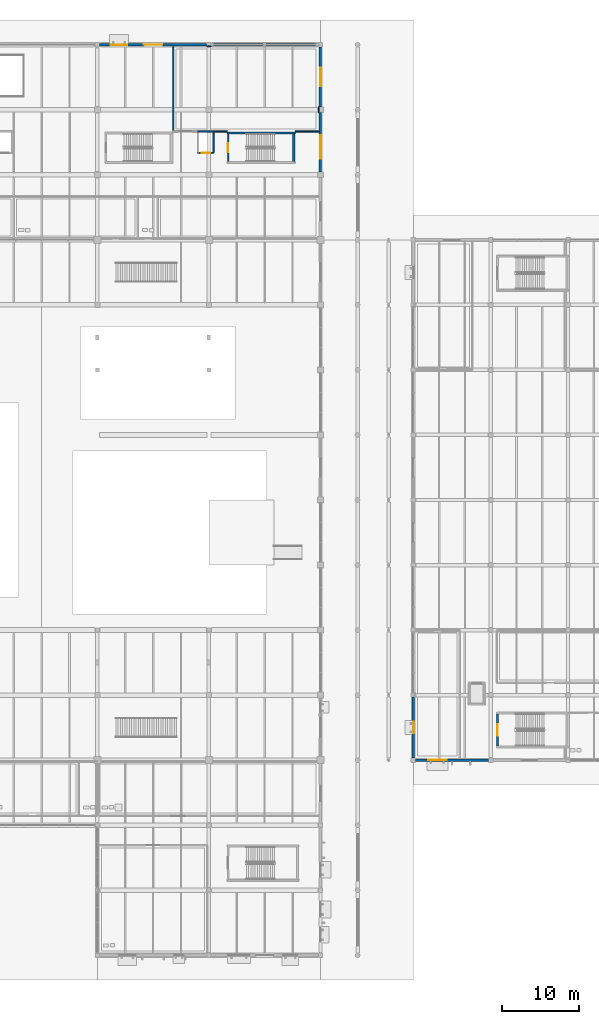
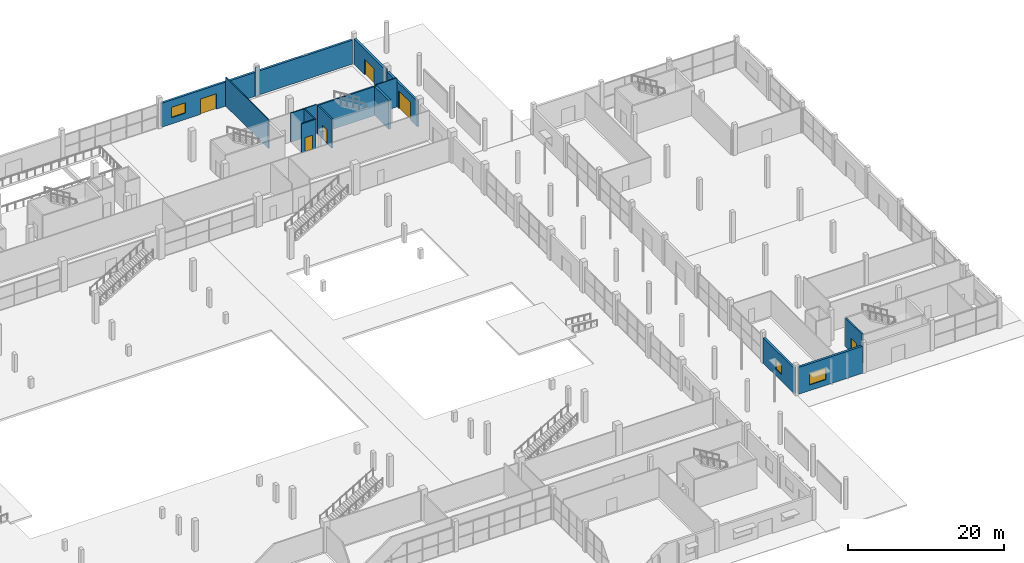
# One storey, part 96 of 130: 18 walls, 6 doors, 3 windows, 9 openings.
"""IFC4 building model written with IfcOpenShell, lengths in metres."""

from ifc_helpers import new_model, si_unit, direction, frame, frame_2d, origin, place, context, subcontext, project, spatial, rectangle, extrude, material, layer, layer_set, type_object, element, fill, save


model = new_model("IFC4")

# Units and contexts
model_context = context("Model", 3, precision=1e-05, world=origin(), true_north=direction((0.0, 1.0)))
body_context = subcontext(model_context, "Body", "Model", "MODEL_VIEW")
ifc_project = project(units=[si_unit("LENGTHUNIT", "METRE"), si_unit("AREAUNIT", "SQUARE_METRE"), si_unit("VOLUMEUNIT", "CUBIC_METRE"), si_unit("PLANEANGLEUNIT", "RADIAN"), si_unit("MASSUNIT", "GRAM", prefix="KILO"), si_unit("THERMODYNAMICTEMPERATUREUNIT", "KELVIN")], contexts=[model_context])

# Site, building, storey
site_placement = place(None, origin())
site = spatial("IfcSite", under=ifc_project, at=site_placement, CompositionType="ELEMENT")
building_placement = place(site_placement, origin())
building = spatial("IfcBuilding", under=site, at=building_placement, Name="Nduvali Passage Aquatics Centre", CompositionType="ELEMENT")
storey_placement = place(building_placement, origin())
storey = spatial("IfcBuildingStorey", under=building, at=storey_placement, Name="L00", CompositionType="ELEMENT", Elevation=0.0)

# Wall, openings, door, window
ifc_material_1 = material(Name="Coral-stone masonry blockwork", Category="masonry")
ifc_layer_1 = layer(ifc_material_1, 0.320068359375, Name="Coral-stone masonry blockwork")
ifc_layer_set_1 = layer_set([ifc_layer_1], Name="Coral-stone masonry blockwork")
wall_type_1 = type_object("IfcWallType", Name="ENV-WAL-CORAL320", PredefinedType="STANDARD", material=ifc_layer_set_1)
wall_1_placement = place(storey_placement, frame((111.300048828125, 117.60009765625, 0.0), z_axis=(0.0, 0.0, 1.0), x_axis=(-1.0, 0.0, 0.0)))
wall_1 = element("IfcWall", 1, at=wall_1_placement, inside=storey, type_object=wall_type_1, Name="L00 North Avenue Civic Facade 0052", PredefinedType="STANDARD", context=body_context, shape_type="SweptSolid", body=[
    extrude(rectangle(XDim=13.800048828125, YDim=0.320068359375, at=frame_2d((6.89990234375, 0.0))), origin(), (0.0, 0.0, 1.0), 3.75390625),
])
opening_1_placement = place(wall_1_placement, frame((5.699951171875, 0.0, 0.0)))
opening_1 = element("IfcOpeningElement", 2, at=opening_1_placement, cuts=wall_1, Name="Opening ED1", PredefinedType="OPENING", context=body_context, shape_type="SweptSolid", body=[
    extrude(rectangle(XDim=2.39990234375, YDim=2.39990234375, at=frame_2d((1.199951171875, 1.199951171875))), frame((0.0, 0.1748046875, 0.0), z_axis=(0.0, -1.0, 0.0), x_axis=(1.0, 0.0, 0.0)), (0.0, 0.0, 1.0), 0.349853515625),
])
opening_2_placement = place(wall_1_placement, frame((10.26611328125, 0.0, 1.0)))
opening_2 = element("IfcOpeningElement", 3, at=opening_2_placement, cuts=wall_1, Name="Opening W5", PredefinedType="OPENING", context=body_context, shape_type="SweptSolid", body=[
    extrude(rectangle(XDim=2.10009765625, YDim=1.60009765625, at=frame_2d((1.050048828125, 0.800048828125))), frame((0.0, 0.1748046875, 0.0), z_axis=(0.0, -1.0, 0.0), x_axis=(1.0, 0.0, 0.0)), (0.0, 0.0, 1.0), 0.349853515625),
])
ifc_material_2 = material(Name="Aluminium-framed glazed door", Category="aluminium")
door_type_1 = type_object("IfcDoorType", Name="ENV-DR-EX240", OperationType="DOUBLE_DOOR_SINGLE_SWING", PredefinedType="DOOR", material=ifc_material_2)
door_1_placement = place(opening_1_placement, frame((2.39990234375, 0.0, 0.0), z_axis=(0.0, 0.0, 1.0), x_axis=(-1.0, 0.0, 0.0)))
door_1 = element("IfcDoor", 4, at=door_1_placement, inside=storey, type_object=door_type_1, Name="L00 Exterior Exit Door ED1-015", OperationType="DOUBLE_DOOR_SINGLE_SWING", OverallHeight=2.39990234375, OverallWidth=2.39990234375, PredefinedType="DOOR", context=body_context, shape_type="SweptSolid", body=[
    extrude(rectangle(XDim=2.39990234375, YDim=2.39990234375, at=frame_2d((1.199951171875, 1.199951171875))), frame((0.0, 0.02490234375, 0.0), z_axis=(0.0, -1.0, 0.0), x_axis=(1.0, 0.0, 0.0)), (0.0, 0.0, 1.0), 0.050048828125),
])
fill(opening_1, door_1)
ifc_material_3 = material(Name="Aluminium-framed solar-control low-E IGU", Category="aluminium")
window_type_1 = type_object("IfcWindowType", Name="ENV-WIN-W5", PartitioningType="SINGLE_PANEL", PredefinedType="WINDOW", material=ifc_material_3)
window_1_placement = place(opening_2_placement, origin())
window_1 = element("IfcWindow", 5, at=window_1_placement, inside=storey, type_object=window_type_1, Name="L00 Exterior Window W5-0057", OverallHeight=1.60009765625, OverallWidth=2.10009765625, PartitioningType="SINGLE_PANEL", PredefinedType="WINDOW", context=body_context, shape_type="SweptSolid", body=[
    extrude(rectangle(XDim=2.10009765625, YDim=1.60009765625, at=frame_2d((1.050048828125, 0.800048828125))), frame((0.0, 0.030029296875, 0.0), z_axis=(0.0, -1.0, 0.0), x_axis=(1.0, 0.0, 0.0)), (0.0, 0.0, 1.0), 0.06005859375),
])
fill(opening_2, window_1)

# Wall
wall_2_placement = place(storey_placement, frame((125.699951171875, 117.60009765625, 0.0), z_axis=(0.0, 0.0, 1.0), x_axis=(-1.0, 0.0, 0.0)))
element("IfcWall", 6, at=wall_2_placement, inside=storey, type_object=wall_type_1, Name="L00 North Avenue Civic Facade 0053", PredefinedType="STANDARD", context=body_context, shape_type="SweptSolid", body=[
    extrude(rectangle(XDim=13.800048828125, YDim=0.320068359375, at=frame_2d((6.89990234375, 0.0))), origin(), (0.0, 0.0, 1.0), 3.75390625),
])

# Wall, opening, door
wall_3_placement = place(storey_placement, frame((126.0, 101.175048828125, 0.0), z_axis=(0.0, 0.0, 1.0), x_axis=(0.0, 1.0, 0.0)))
wall_3 = element("IfcWall", 7, at=wall_3_placement, inside=storey, type_object=wall_type_1, Name="L00 North Wing East Facade 0058", PredefinedType="STANDARD", context=body_context, shape_type="SweptSolid", body=[
    extrude(rectangle(XDim=7.64990234375, YDim=0.320068359375, at=frame_2d((3.824951171875, 0.0))), origin(), (0.0, 0.0, 1.0), 3.976318359375),
])
opening_3_placement = place(wall_3_placement, frame((1.72509765625, 0.0, 0.0)))
opening_3 = element("IfcOpeningElement", 8, at=opening_3_placement, cuts=wall_3, Name="Opening SG2", PredefinedType="OPENING", context=body_context, shape_type="SweptSolid", body=[
    extrude(rectangle(XDim=3.0, YDim=2.800048828125, at=frame_2d((1.5, 1.39990234375))), frame((0.0, 0.1748046875, 0.0), z_axis=(0.0, -1.0, 0.0), x_axis=(1.0, 0.0, 0.0)), (0.0, 0.0, 1.0), 0.349853515625),
])
ifc_material_4 = material(Name="Galvanised steel roller shutter", Category="steel")
door_type_2 = type_object("IfcDoorType", Name="ENV-GT-SG300", OperationType="ROLLINGUP", PredefinedType="GATE", material=ifc_material_4)
door_2_placement = place(opening_3_placement, frame((3.0, 0.0, 0.0), z_axis=(0.0, 0.0, 1.0), x_axis=(-1.0, 0.0, 0.0)))
door_2 = element("IfcDoor", 9, at=door_2_placement, inside=storey, type_object=door_type_2, Name="L00 Exterior Exit Door SG2-019", OperationType="ROLLINGUP", OverallHeight=2.800048828125, OverallWidth=3.0, PredefinedType="GATE", context=body_context, shape_type="SweptSolid", body=[
    extrude(rectangle(XDim=3.0, YDim=2.800048828125, at=frame_2d((1.5, 1.39990234375))), frame((0.0, 0.02490234375, 0.0), z_axis=(0.0, -1.0, 0.0), x_axis=(1.0, 0.0, 0.0)), (0.0, 0.0, 1.0), 0.050048828125),
])
fill(opening_3, door_2)

wall_4_placement = place(storey_placement, frame((126.0, 109.574951171875, 0.0), z_axis=(0.0, 0.0, 1.0), x_axis=(0.0, 1.0, 0.0)))
wall_4 = element("IfcWall", 10, at=wall_4_placement, inside=storey, type_object=wall_type_1, Name="L00 North Wing East Facade 0059", PredefinedType="STANDARD", context=body_context, shape_type="SweptSolid", body=[
    extrude(rectangle(XDim=7.72509765625, YDim=0.320068359375, at=frame_2d((3.862548828125, 0.0))), origin(), (0.0, 0.0, 1.0), 3.976318359375),
])
opening_4_placement = place(wall_4_placement, frame((2.662109375, 0.0, 0.0)))
opening_4 = element("IfcOpeningElement", 11, at=opening_4_placement, cuts=wall_4, Name="Opening ED1", PredefinedType="OPENING", context=body_context, shape_type="SweptSolid", body=[
    extrude(rectangle(XDim=2.39990234375, YDim=2.39990234375, at=frame_2d((1.199951171875, 1.199951171875))), frame((0.0, 0.1748046875, 0.0), z_axis=(0.0, -1.0, 0.0), x_axis=(1.0, 0.0, 0.0)), (0.0, 0.0, 1.0), 0.349853515625),
])
door_3_placement = place(opening_4_placement, frame((2.39990234375, 0.0, 0.0), z_axis=(0.0, 0.0, 1.0), x_axis=(-1.0, 0.0, 0.0)))
door_3 = element("IfcDoor", 12, at=door_3_placement, inside=storey, type_object=door_type_1, Name="L00 Exterior Exit Door ED1-020", OperationType="DOUBLE_DOOR_SINGLE_SWING", OverallHeight=2.39990234375, OverallWidth=2.39990234375, PredefinedType="DOOR", context=body_context, shape_type="SweptSolid", body=[
    extrude(rectangle(XDim=2.39990234375, YDim=2.39990234375, at=frame_2d((1.199951171875, 1.199951171875))), frame((0.0, 0.02490234375, 0.0), z_axis=(0.0, -1.0, 0.0), x_axis=(1.0, 0.0, 0.0)), (0.0, 0.0, 1.0), 0.050048828125),
])
fill(opening_4, door_3)

# Wall, opening, window
wall_5_placement = place(storey_placement, frame((138.27490234375, 25.199951171875, 0.0), z_axis=(0.0, 0.0, 1.0), x_axis=(1.0, 0.0, 0.0)))
wall_5 = element("IfcWall", 13, at=wall_5_placement, inside=storey, type_object=wall_type_1, Name="L00 East Pavilion South Facade 0088", PredefinedType="STANDARD", context=body_context, shape_type="SweptSolid", body=[
    extrude(rectangle(XDim=9.4501953125, YDim=0.320068359375, at=frame_2d((4.72509765625, 0.0))), origin(), (0.0, 0.0, 1.0), 4.216064453125),
])
opening_5_placement = place(wall_5_placement, frame((1.635009765625, 0.0, 0.89990234375)))
opening_5 = element("IfcOpeningElement", 14, at=opening_5_placement, cuts=wall_5, Name="Opening W1", PredefinedType="OPENING", context=body_context, shape_type="SweptSolid", body=[
    extrude(rectangle(XDim=2.39990234375, YDim=1.800048828125, at=frame_2d((1.199951171875, 0.89990234375))), frame((0.0, 0.1748046875, 0.0), z_axis=(0.0, -1.0, 0.0), x_axis=(1.0, 0.0, 0.0)), (0.0, 0.0, 1.0), 0.349853515625),
])
window_type_2 = type_object("IfcWindowType", Name="ENV-WIN-W1", PartitioningType="SINGLE_PANEL", PredefinedType="WINDOW", material=ifc_material_3)
window_2_placement = place(opening_5_placement, origin())
window_2 = element("IfcWindow", 15, at=window_2_placement, inside=storey, type_object=window_type_2, Name="L00 Exterior Window W1-0084", OverallHeight=1.800048828125, OverallWidth=2.39990234375, PartitioningType="SINGLE_PANEL", PredefinedType="WINDOW", context=body_context, shape_type="SweptSolid", body=[
    extrude(rectangle(XDim=2.39990234375, YDim=1.800048828125, at=frame_2d((1.199951171875, 0.89990234375))), frame((0.0, 0.030029296875, 0.0), z_axis=(0.0, -1.0, 0.0), x_axis=(1.0, 0.0, 0.0)), (0.0, 0.0, 1.0), 0.06005859375),
])
fill(opening_5, window_2)

wall_6_placement = place(storey_placement, frame((138.0, 33.324951171875, 0.0), z_axis=(0.0, 0.0, 1.0), x_axis=(0.0, -1.0, 0.0)))
wall_6 = element("IfcWall", 16, at=wall_6_placement, inside=storey, type_object=wall_type_1, Name="L00 East Pavilion Passage Facade 0091", PredefinedType="STANDARD", context=body_context, shape_type="SweptSolid", body=[
    extrude(rectangle(XDim=7.849853515625, YDim=0.320068359375, at=frame_2d((3.9248046875, 0.0))), origin(), (0.0, 0.0, 1.0), 3.976318359375),
])
opening_6_placement = place(wall_6_placement, frame((3.175048828125, 0.0, 1.050048828125)))
opening_6 = element("IfcOpeningElement", 17, at=opening_6_placement, cuts=wall_6, Name="Opening W3", PredefinedType="OPENING", context=body_context, shape_type="SweptSolid", body=[
    extrude(rectangle(XDim=1.5, YDim=1.5, at=frame_2d((0.75, 0.75))), frame((0.0, 0.1748046875, 0.0), z_axis=(0.0, -1.0, 0.0), x_axis=(1.0, 0.0, 0.0)), (0.0, 0.0, 1.0), 0.349853515625),
])
window_type_3 = type_object("IfcWindowType", Name="ENV-WIN-W3", PartitioningType="SINGLE_PANEL", PredefinedType="WINDOW", material=ifc_material_3)
window_3_placement = place(opening_6_placement, origin())
window_3 = element("IfcWindow", 18, at=window_3_placement, inside=storey, type_object=window_type_3, Name="L00 Exterior Window W3-0085", OverallHeight=1.5, OverallWidth=1.5, PartitioningType="SINGLE_PANEL", PredefinedType="WINDOW", context=body_context, shape_type="SweptSolid", body=[
    extrude(rectangle(XDim=1.5, YDim=1.5, at=frame_2d((0.75, 0.75))), frame((0.0, 0.030029296875, 0.0), z_axis=(0.0, -1.0, 0.0), x_axis=(1.0, 0.0, 0.0)), (0.0, 0.0, 1.0), 0.06005859375),
])
fill(opening_6, window_3)

# Wall
ifc_material_5 = material(Name="Concrete C40/50", Category="concrete")
ifc_layer_2 = layer(ifc_material_5, 0.219970703125, Name="Concrete C40/50")
ifc_layer_set_2 = layer_set([ifc_layer_2], Name="Concrete C40/50")
wall_type_2 = type_object("IfcWallType", Name="INT-WAL-CORE220", PredefinedType="SOLIDWALL", material=ifc_layer_set_2)
wall_7_placement = place(storey_placement, frame((122.75, 106.199951171875, 0.0), z_axis=(0.0, 0.0, 1.0), x_axis=(-1.0, 0.0, 0.0)))
element("IfcWall", 19, at=wall_7_placement, inside=storey, type_object=wall_type_2, Name="L00 Stair ST2 Core Wall N", PredefinedType="SOLIDWALL", context=body_context, shape_type="SweptSolid", body=[
    extrude(rectangle(XDim=8.77001953125, YDim=0.219970703125, at=frame_2d((4.385009765625, 0.0))), origin(), (0.0, 0.0, 1.0), 4.52001953125),
])

# Wall, opening, door
wall_8_placement = place(storey_placement, frame((114.090087890625, 106.090087890625, 0.0), z_axis=(0.0, 0.0, 1.0), x_axis=(0.0, -1.0, 0.0)))
wall_8 = element("IfcWall", 20, at=wall_8_placement, inside=storey, type_object=wall_type_2, Name="L00 Stair ST2 Core Wall W", PredefinedType="SOLIDWALL", context=body_context, shape_type="SweptSolid", body=[
    extrude(rectangle(XDim=3.590087890625, YDim=0.219970703125, at=frame_2d((1.794921875, 0.0))), origin(), (0.0, 0.0, 1.0), 4.52001953125),
])
opening_7_placement = place(wall_8_placement, frame((1.195068359375, 0.0, 0.0)))
opening_7 = element("IfcOpeningElement", 21, at=opening_7_placement, cuts=wall_8, Name="Opening FD-ST2", PredefinedType="OPENING", context=body_context, shape_type="SweptSolid", body=[
    extrude(rectangle(XDim=1.199951171875, YDim=2.199951171875, at=frame_2d((0.60009765625, 1.10009765625))), frame((0.0, 0.125, 0.0), z_axis=(0.0, -1.0, 0.0), x_axis=(1.0, 0.0, 0.0)), (0.0, 0.0, 1.0), 0.249755859375),
])
ifc_material_6 = material(Name="Galvanised steel door", Category="steel")
door_type_3 = type_object("IfcDoorType", Name="INT-DR-ST120", OperationType="NOTDEFINED", PredefinedType="DOOR", material=ifc_material_6)
door_4_placement = place(opening_7_placement, origin())
door_4 = element("IfcDoor", 22, at=door_4_placement, inside=storey, type_object=door_type_3, Name="L00 Stair ST2 Fire Lobby Door", OperationType="SINGLE_SWING_LEFT", OverallHeight=2.199951171875, OverallWidth=1.199951171875, PredefinedType="DOOR", context=body_context, shape_type="SweptSolid", body=[
    extrude(rectangle(XDim=1.199951171875, YDim=2.199951171875, at=frame_2d((0.60009765625, 1.10009765625))), frame((0.0, 0.02490234375, 0.0), z_axis=(0.0, -1.0, 0.0), x_axis=(1.0, 0.0, 0.0)), (0.0, 0.0, 1.0), 0.050048828125),
])
fill(opening_7, door_4)

wall_9_placement = place(storey_placement, frame((148.889892578125, 31.18994140625, 0.0), z_axis=(0.0, 0.0, 1.0), x_axis=(0.0, -1.0, 0.0)))
wall_9 = element("IfcWall", 23, at=wall_9_placement, inside=storey, type_object=wall_type_2, Name="L00 Stair ST7 Core Wall W", PredefinedType="SOLIDWALL", context=body_context, shape_type="SweptSolid", body=[
    extrude(rectangle(XDim=4.18994140625, YDim=0.219970703125, at=frame_2d((2.094970703125, 0.0))), origin(), (0.0, 0.0, 1.0), 4.52001953125),
])
opening_8_placement = place(wall_9_placement, frame((1.344970703125, 0.0, 0.0)))
opening_8 = element("IfcOpeningElement", 24, at=opening_8_placement, cuts=wall_9, Name="Opening FD-ST1", PredefinedType="OPENING", context=body_context, shape_type="SweptSolid", body=[
    extrude(rectangle(XDim=1.5, YDim=2.199951171875, at=frame_2d((0.75, 1.10009765625))), frame((0.0, 0.125, 0.0), z_axis=(0.0, -1.0, 0.0), x_axis=(1.0, 0.0, 0.0)), (0.0, 0.0, 1.0), 0.249755859375),
])
door_type_4 = type_object("IfcDoorType", Name="INT-DR-ST150", OperationType="DOUBLE_DOOR_SINGLE_SWING", PredefinedType="DOOR", material=ifc_material_6)
door_5_placement = place(opening_8_placement, origin())
door_5 = element("IfcDoor", 25, at=door_5_placement, inside=storey, type_object=door_type_4, Name="L00 Stair ST7 Fire Lobby Door", OperationType="DOUBLE_DOOR_SINGLE_SWING", OverallHeight=2.199951171875, OverallWidth=1.5, PredefinedType="DOOR", context=body_context, shape_type="SweptSolid", body=[
    extrude(rectangle(XDim=1.5, YDim=2.199951171875, at=frame_2d((0.75, 1.10009765625))), frame((0.0, 0.02490234375, 0.0), z_axis=(0.0, -1.0, 0.0), x_axis=(1.0, 0.0, 0.0)), (0.0, 0.0, 1.0), 0.050048828125),
])
fill(opening_8, door_5)

# Walls
ifc_material_7 = material(Name="Gypsum acoustic stud partition")
ifc_layer_3 = layer(ifc_material_7, 0.139892578125, Name="Gypsum acoustic stud partition")
ifc_layer_set_3 = layer_set([ifc_layer_3], Name="Gypsum acoustic stud partition")
wall_type_3 = type_object("IfcWallType", Name="INT-WAL-PART140", PredefinedType="PARTITIONING", material=ifc_layer_set_3)
wall_10_placement = place(storey_placement, frame((112.27001953125, 106.39990234375, 0.0), z_axis=(0.0, 0.0, 1.0), x_axis=(1.0, 0.0, 0.0)))
element("IfcWall", 26, at=wall_10_placement, inside=storey, type_object=wall_type_3, Name="L00 Campus Security and Building Management Office Partition 0088", PredefinedType="PARTITIONING", context=body_context, shape_type="SweptSolid", body=[
    extrude(rectangle(XDim=1.7099609375, YDim=0.139892578125, at=frame_2d((0.85498046875, 0.0))), origin(), (0.0, 0.0, 1.0), 4.52001953125),
])
wall_11_placement = place(storey_placement, frame((122.75, 106.39990234375, 0.0), z_axis=(0.0, 0.0, 1.0), x_axis=(1.0, 0.0, 0.0)))
element("IfcWall", 27, at=wall_11_placement, inside=storey, type_object=wall_type_3, Name="L00 Campus Security and Building Management Office Partition 0089", PredefinedType="PARTITIONING", context=body_context, shape_type="SweptSolid", body=[
    extrude(rectangle(XDim=3.090087890625, YDim=0.139892578125, at=frame_2d((1.544921875, 0.0))), origin(), (0.0, 0.0, 1.0), 4.52001953125),
])
wall_12_placement = place(storey_placement, frame((111.300048828125, 117.419921875, 0.0), z_axis=(0.0, 0.0, 1.0), x_axis=(1.0, 0.0, 0.0)))
element("IfcWall", 28, at=wall_12_placement, inside=storey, type_object=wall_type_3, Name="L00 Campus Security and Building Management Office Partition 0090", PredefinedType="PARTITIONING", context=body_context, shape_type="SweptSolid", body=[
    extrude(rectangle(XDim=0.599853515625, YDim=0.139892578125, at=frame_2d((0.2998046875, 0.0))), origin(), (0.0, 0.0, 1.0), 4.52001953125),
])
wall_13_placement = place(storey_placement, frame((107.0, 106.469970703125, 0.0), z_axis=(0.0, 0.0, 1.0), x_axis=(0.0, 1.0, 0.0)))
element("IfcWall", 29, at=wall_13_placement, inside=storey, type_object=wall_type_3, Name="L00 Campus Security and Building Management Office Partition 0091", PredefinedType="PARTITIONING", context=body_context, shape_type="SweptSolid", body=[
    extrude(rectangle(XDim=10.969970703125, YDim=0.139892578125, at=frame_2d((5.48486328125, 0.0))), origin(), (0.0, 0.0, 1.0), 4.52001953125),
])
wall_14_placement = place(storey_placement, frame((125.800048828125, 108.824951171875, 0.0), z_axis=(0.0, 0.0, 1.0), x_axis=(0.0, 1.0, 0.0)))
element("IfcWall", 30, at=wall_14_placement, inside=storey, type_object=wall_type_3, Name="L00 Campus Security and Building Management Office Partition 0092", PredefinedType="PARTITIONING", context=body_context, shape_type="SweptSolid", body=[
    extrude(rectangle(XDim=0.75, YDim=0.139892578125, at=frame_2d((0.375, 0.0))), origin(), (0.0, 0.0, 1.0), 4.52001953125),
])

# Wall, opening, door
ifc_layer_4 = layer(ifc_material_5, 0.18994140625, Name="Concrete C40/50")
ifc_layer_set_4 = layer_set([ifc_layer_4], Name="Concrete C40/50")
wall_type_4 = type_object("IfcWallType", Name="INT-WAL-SHAFT200", PredefinedType="SOLIDWALL", material=ifc_layer_set_4)
wall_15_placement = place(storey_placement, frame((110.1298828125, 103.625, 0.0), z_axis=(0.0, 0.0, 1.0), x_axis=(1.0, 0.0, 0.0)))
wall_15 = element("IfcWall", 31, at=wall_15_placement, inside=storey, type_object=wall_type_4, Name="L00 Lift L3 Shaft Wall S", PredefinedType="SOLIDWALL", context=body_context, shape_type="SweptSolid", body=[
    extrude(rectangle(XDim=2.14013671875, YDim=0.18994140625, at=frame_2d((1.070068359375, 0.0))), origin(), (0.0, 0.0, 1.0), 4.52001953125),
])
opening_9_placement = place(wall_15_placement, frame((0.52001953125, 0.0, 0.0)))
opening_9 = element("IfcOpeningElement", 32, at=opening_9_placement, cuts=wall_15, Name="Opening LD3", PredefinedType="OPENING", context=body_context, shape_type="SweptSolid", body=[
    extrude(rectangle(XDim=1.10009765625, YDim=2.199951171875, at=frame_2d((0.550048828125, 1.10009765625))), frame((0.0, 0.10986328125, 0.0), z_axis=(0.0, -1.0, 0.0), x_axis=(1.0, 0.0, 0.0)), (0.0, 0.0, 1.0), 0.2197265625),
])
ifc_material_8 = material(Name="Stainless steel landing door", Category="steel")
door_type_5 = type_object("IfcDoorType", Name="INT-DR-LD3", OperationType="DOUBLE_DOOR_SLIDING", PredefinedType="DOOR", material=ifc_material_8)
door_6_placement = place(opening_9_placement, origin())
door_6 = element("IfcDoor", 33, at=door_6_placement, inside=storey, type_object=door_type_5, Name="L00 Lift L3 Sliding Landing Door LD3", OperationType="DOUBLE_DOOR_SLIDING", OverallHeight=2.199951171875, OverallWidth=1.10009765625, PredefinedType="DOOR", context=body_context, shape_type="SweptSolid", body=[
    extrude(rectangle(XDim=1.10009765625, YDim=2.199951171875, at=frame_2d((0.550048828125, 1.10009765625))), frame((0.0, 0.02490234375, 0.0), z_axis=(0.0, -1.0, 0.0), x_axis=(1.0, 0.0, 0.0)), (0.0, 0.0, 1.0), 0.050048828125),
])
fill(opening_9, door_6)

# Walls
wall_16_placement = place(storey_placement, frame((112.175048828125, 103.719970703125, 0.0), z_axis=(0.0, 0.0, 1.0), x_axis=(0.0, 1.0, 0.0)))
element("IfcWall", 34, at=wall_16_placement, inside=storey, type_object=wall_type_4, Name="L00 Lift L3 Shaft Wall E", PredefinedType="SOLIDWALL", context=body_context, shape_type="SweptSolid", body=[
    extrude(rectangle(XDim=2.56005859375, YDim=0.18994140625, at=frame_2d((1.280029296875, 0.0))), origin(), (0.0, 0.0, 1.0), 4.52001953125),
])
wall_17_placement = place(storey_placement, frame((112.27001953125, 106.375, 0.0), z_axis=(0.0, 0.0, 1.0), x_axis=(-1.0, 0.0, 0.0)))
element("IfcWall", 35, at=wall_17_placement, inside=storey, type_object=wall_type_4, Name="L00 Lift L3 Shaft Wall N", PredefinedType="SOLIDWALL", context=body_context, shape_type="SweptSolid", body=[
    extrude(rectangle(XDim=2.14013671875, YDim=0.18994140625, at=frame_2d((1.070068359375, 0.0))), origin(), (0.0, 0.0, 1.0), 4.52001953125),
])
ifc_layer_5 = layer(ifc_material_5, 0.35009765625, Name="Concrete C40/50")
ifc_layer_set_5 = layer_set([ifc_layer_5], Name="Concrete C40/50")
wall_type_5 = type_object("IfcWallType", Name="STR-WAL-SHR350", PredefinedType="SHEAR", material=ifc_layer_set_5)
wall_18_placement = place(storey_placement, frame((122.574951171875, 102.5, 0.0), z_axis=(0.0, 0.0, 1.0), x_axis=(0.0, 1.0, 0.0)))
element("IfcWall", 36, at=wall_18_placement, inside=storey, type_object=wall_type_5, Name="L00 Stair ST2 Core Shear Wall E", PredefinedType="SHEAR", context=body_context, shape_type="SweptSolid", body=[
    extrude(rectangle(XDim=3.590087890625, YDim=0.35009765625, at=frame_2d((1.794921875, 0.0))), origin(), (0.0, 0.0, 1.0), 4.52001953125),
])

save(model, "model.ifc")
